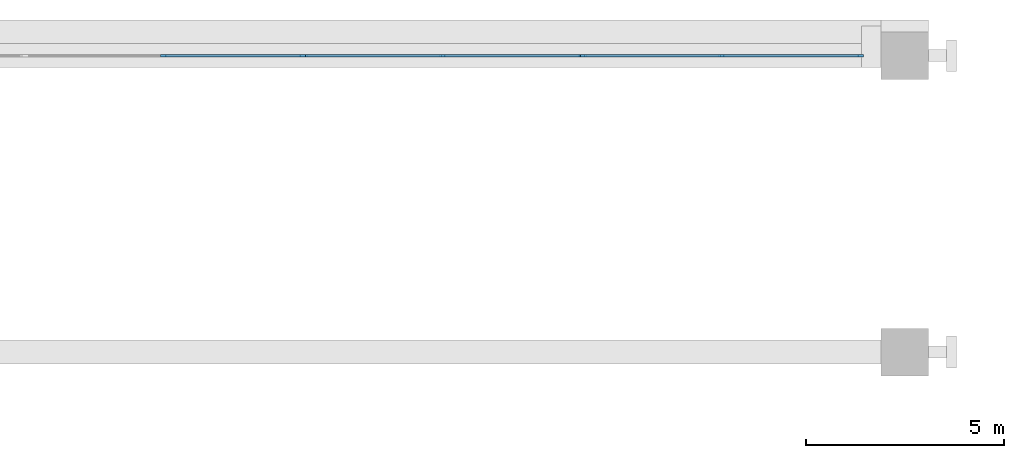
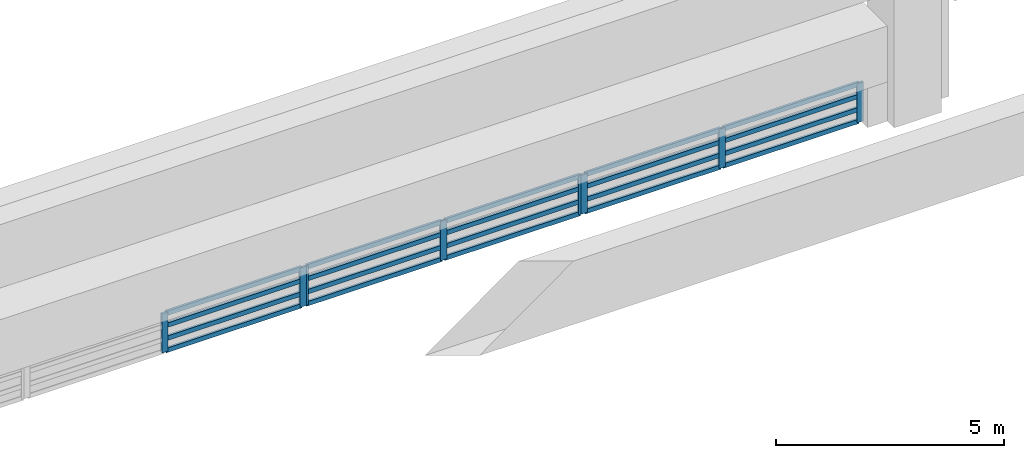
# One storey, part 17 of 61: 28 members, 3 elements without a shape of their own.
"""IFC4 building model written with IfcOpenShell, lengths in metres."""

from ifc_helpers import new_model, si_unit, direction, frame, origin, origin_2d, place, context, subcontext, project, spatial, rectangle, extrude, material, layer, layer_set, material_profile, profile_set, type_object, element, aggregate, save


model = new_model("IFC4")

# Units and contexts
model_context = context("Model", 3, precision=1e-05, world=origin(), true_north=direction((0.0, 1.0)))
body_context = subcontext(model_context, "Body", "Model", "MODEL_VIEW")
ifc_project = project(units=[si_unit("LENGTHUNIT", "METRE"), si_unit("AREAUNIT", "SQUARE_METRE"), si_unit("VOLUMEUNIT", "CUBIC_METRE"), si_unit("PLANEANGLEUNIT", "RADIAN"), si_unit("MASSUNIT", "GRAM", prefix="KILO")], contexts=[model_context])

# Site, building, storey
site_placement = place(None, origin())
site = spatial("IfcSite", under=ifc_project, at=site_placement, CompositionType="ELEMENT")
building_placement = place(site_placement, origin())
building = spatial("IfcBuilding", under=site, at=building_placement, Name="Cour d'Honneur Mobility Palace", CompositionType="ELEMENT")
storey_placement = place(building_placement, frame((0.0, 0.0, 11.89990234375)))
storey = spatial("IfcBuildingStorey", under=building, at=storey_placement, Name="L03", CompositionType="ELEMENT", Elevation=11.89990234375)

# Curtain wall, members
ifc_material_1 = material(Name="Aluminium and glass", Category="aluminium")
ifc_layer = layer(ifc_material_1, 0.10009765625)
ifc_layer_set = layer_set([ifc_layer], Name="Aluminium and glass")
curtain_wall_type = type_object("IfcCurtainWallType", Name="Curtain wall run", PredefinedType="NOTDEFINED", material=ifc_layer_set)
curtain_wall_1_placement = place(storey_placement, origin())
curtain_wall_1 = element("IfcCurtainWall", 1, at=curtain_wall_1_placement, inside=storey, type_object=curtain_wall_type, Name="Curtain wall CW-183", PredefinedType="NOTDEFINED")
ifc_material_2 = material(Name="Aluminium", Category="aluminium")
ifc_material_profile_1 = material_profile(ifc_material_2, rectangle(XDim=0.06005859375, YDim=0.159912109375, at=origin_2d()), Name="Curtain wall mullion")
ifc_profile_set_1 = profile_set([ifc_material_profile_1], Name="Aluminium")
member_type_1 = type_object("IfcMemberType", Name="Curtain wall mullion", PredefinedType="MULLION", material=ifc_profile_set_1)
member_1_placement = place(storey_placement, frame((81.14990234375, 114.89990234375, 0.0), z_axis=(0.0, 0.0, 1.0), x_axis=(0.0, 1.0, 0.0)))
member_1 = element("IfcMember", 2, at=member_1_placement, type_object=member_type_1, Name="CW-183 mullion 2", PredefinedType="MULLION", context=body_context, shape_type="SweptSolid", body=[
    extrude(rectangle(XDim=0.06005859375, YDim=0.159912109375, at=origin_2d()), origin(), (0.0, 0.0, 1.0), 1.050048828125),
])
member_2_placement = place(storey_placement, frame((84.64990234375, 114.89990234375, 0.0), z_axis=(0.0, 0.0, 1.0), x_axis=(0.0, 1.0, 0.0)))
member_2 = element("IfcMember", 3, at=member_2_placement, type_object=member_type_1, Name="CW-183 mullion 3", PredefinedType="MULLION", context=body_context, shape_type="SweptSolid", body=[
    extrude(rectangle(XDim=0.06005859375, YDim=0.159912109375, at=origin_2d()), origin(), (0.0, 0.0, 1.0), 1.050048828125),
])

curtain_wall_2_placement = place(storey_placement, origin())
curtain_wall_2 = element("IfcCurtainWall", 4, at=curtain_wall_2_placement, inside=storey, type_object=curtain_wall_type, Name="Curtain wall CW-184", PredefinedType="NOTDEFINED")
member_3_placement = place(storey_placement, frame((84.7099609375, 114.89990234375, 0.0), z_axis=(0.0, 0.0, 1.0), x_axis=(0.0, 1.0, 0.0)))
member_3 = element("IfcMember", 5, at=member_3_placement, type_object=member_type_1, Name="CW-184 mullion 1", PredefinedType="MULLION", context=body_context, shape_type="SweptSolid", body=[
    extrude(rectangle(XDim=0.06005859375, YDim=0.159912109375, at=origin_2d()), origin(), (0.0, 0.0, 1.0), 1.050048828125),
])
member_4_placement = place(storey_placement, frame((88.2099609375, 114.89990234375, 0.0), z_axis=(0.0, 0.0, 1.0), x_axis=(0.0, 1.0, 0.0)))
member_4 = element("IfcMember", 6, at=member_4_placement, type_object=member_type_1, Name="CW-184 mullion 2", PredefinedType="MULLION", context=body_context, shape_type="SweptSolid", body=[
    extrude(rectangle(XDim=0.06005859375, YDim=0.159912109375, at=origin_2d()), origin(), (0.0, 0.0, 1.0), 1.050048828125),
])
member_5_placement = place(storey_placement, frame((91.7099609375, 114.89990234375, 0.0), z_axis=(0.0, 0.0, 1.0), x_axis=(0.0, 1.0, 0.0)))
member_5 = element("IfcMember", 7, at=member_5_placement, type_object=member_type_1, Name="CW-184 mullion 3", PredefinedType="MULLION", context=body_context, shape_type="SweptSolid", body=[
    extrude(rectangle(XDim=0.06005859375, YDim=0.159912109375, at=origin_2d()), origin(), (0.0, 0.0, 1.0), 1.050048828125),
])

curtain_wall_3_placement = place(storey_placement, origin())
curtain_wall_3 = element("IfcCurtainWall", 8, at=curtain_wall_3_placement, inside=storey, type_object=curtain_wall_type, Name="Curtain wall CW-185", PredefinedType="NOTDEFINED")
member_6_placement = place(storey_placement, frame((91.77001953125, 114.89990234375, 0.0), z_axis=(0.0, 0.0, 1.0), x_axis=(0.0, 1.0, 0.0)))
member_6 = element("IfcMember", 9, at=member_6_placement, type_object=member_type_1, Name="CW-185 mullion 1", PredefinedType="MULLION", context=body_context, shape_type="SweptSolid", body=[
    extrude(rectangle(XDim=0.06005859375, YDim=0.159912109375, at=origin_2d()), origin(), (0.0, 0.0, 1.0), 1.050048828125),
])
member_7_placement = place(storey_placement, frame((95.27001953125, 114.89990234375, 0.0), z_axis=(0.0, 0.0, 1.0), x_axis=(0.0, 1.0, 0.0)))
member_7 = element("IfcMember", 10, at=member_7_placement, type_object=member_type_1, Name="CW-185 mullion 2", PredefinedType="MULLION", context=body_context, shape_type="SweptSolid", body=[
    extrude(rectangle(XDim=0.06005859375, YDim=0.159912109375, at=origin_2d()), origin(), (0.0, 0.0, 1.0), 1.050048828125),
])
member_8_placement = place(storey_placement, frame((98.77001953125, 114.89990234375, 0.0), z_axis=(0.0, 0.0, 1.0), x_axis=(0.0, 1.0, 0.0)))
member_8 = element("IfcMember", 11, at=member_8_placement, type_object=member_type_1, Name="CW-185 mullion 3", PredefinedType="MULLION", context=body_context, shape_type="SweptSolid", body=[
    extrude(rectangle(XDim=0.06005859375, YDim=0.159912109375, at=origin_2d()), origin(), (0.0, 0.0, 1.0), 1.050048828125),
])

# Member
ifc_material_3 = material(Name="Aluminium", Category="aluminium")
ifc_material_profile_2 = material_profile(ifc_material_3, rectangle(XDim=0.06005859375, YDim=0.1201171875, at=origin_2d()), Name="Curtain wall transom")
ifc_profile_set_2 = profile_set([ifc_material_profile_2], Name="Aluminium")
member_type_2 = type_object("IfcMemberType", Name="Curtain wall transom", PredefinedType="USERDEFINED", material=ifc_profile_set_2)
member_9_placement = place(storey_placement, frame((81.179931640625, 114.89990234375, 0.030029296875), z_axis=(1.0, 0.0, 0.0), x_axis=(0.0, 1.0, 0.0)))
member_9 = element("IfcMember", 12, at=member_9_placement, type_object=member_type_2, Name="CW-183 transom 2.1", ObjectType="TRANSOM", PredefinedType="USERDEFINED", context=body_context, shape_type="SweptSolid", body=[
    extrude(rectangle(XDim=0.06005859375, YDim=0.1201171875, at=origin_2d()), origin(), (0.0, 0.0, 1.0), 3.440185546875),
])

member_10_placement = place(storey_placement, frame((81.179931640625, 114.89990234375, 0.35009765625), z_axis=(1.0, 0.0, 0.0), x_axis=(0.0, 1.0, 0.0)))
member_10 = element("IfcMember", 13, at=member_10_placement, type_object=member_type_2, Name="CW-183 transom 2.2", ObjectType="TRANSOM", PredefinedType="USERDEFINED", context=body_context, shape_type="SweptSolid", body=[
    extrude(rectangle(XDim=0.06005859375, YDim=0.1201171875, at=origin_2d()), origin(), (0.0, 0.0, 1.0), 3.440185546875),
])

member_11_placement = place(storey_placement, frame((81.179931640625, 114.89990234375, 0.7001953125), z_axis=(1.0, 0.0, 0.0), x_axis=(0.0, 1.0, 0.0)))
member_11 = element("IfcMember", 14, at=member_11_placement, type_object=member_type_2, Name="CW-183 transom 2.3", ObjectType="TRANSOM", PredefinedType="USERDEFINED", context=body_context, shape_type="SweptSolid", body=[
    extrude(rectangle(XDim=0.06005859375, YDim=0.1201171875, at=origin_2d()), origin(), (0.0, 0.0, 1.0), 3.440185546875),
])

member_12_placement = place(storey_placement, frame((81.179931640625, 114.89990234375, 1.02001953125), z_axis=(1.0, 0.0, 0.0), x_axis=(0.0, 1.0, 0.0)))
member_12 = element("IfcMember", 15, at=member_12_placement, type_object=member_type_2, Name="CW-183 transom 2.4", ObjectType="TRANSOM", PredefinedType="USERDEFINED", context=body_context, shape_type="SweptSolid", body=[
    extrude(rectangle(XDim=0.06005859375, YDim=0.1201171875, at=origin_2d()), origin(), (0.0, 0.0, 1.0), 3.440185546875),
])

aggregate(curtain_wall_1, [member_1, member_2, member_9, member_10, member_11, member_12])

member_13_placement = place(storey_placement, frame((84.739990234375, 114.89990234375, 0.030029296875), z_axis=(1.0, 0.0, 0.0), x_axis=(0.0, 1.0, 0.0)))
member_13 = element("IfcMember", 16, at=member_13_placement, type_object=member_type_2, Name="CW-184 transom 1.1", ObjectType="TRANSOM", PredefinedType="USERDEFINED", context=body_context, shape_type="SweptSolid", body=[
    extrude(rectangle(XDim=0.06005859375, YDim=0.1201171875, at=origin_2d()), origin(), (0.0, 0.0, 1.0), 3.43994140625),
])

member_14_placement = place(storey_placement, frame((84.739990234375, 114.89990234375, 0.35009765625), z_axis=(1.0, 0.0, 0.0), x_axis=(0.0, 1.0, 0.0)))
member_14 = element("IfcMember", 17, at=member_14_placement, type_object=member_type_2, Name="CW-184 transom 1.2", ObjectType="TRANSOM", PredefinedType="USERDEFINED", context=body_context, shape_type="SweptSolid", body=[
    extrude(rectangle(XDim=0.06005859375, YDim=0.1201171875, at=origin_2d()), origin(), (0.0, 0.0, 1.0), 3.43994140625),
])

member_15_placement = place(storey_placement, frame((84.739990234375, 114.89990234375, 0.7001953125), z_axis=(1.0, 0.0, 0.0), x_axis=(0.0, 1.0, 0.0)))
member_15 = element("IfcMember", 18, at=member_15_placement, type_object=member_type_2, Name="CW-184 transom 1.3", ObjectType="TRANSOM", PredefinedType="USERDEFINED", context=body_context, shape_type="SweptSolid", body=[
    extrude(rectangle(XDim=0.06005859375, YDim=0.1201171875, at=origin_2d()), origin(), (0.0, 0.0, 1.0), 3.43994140625),
])

member_16_placement = place(storey_placement, frame((84.739990234375, 114.89990234375, 1.02001953125), z_axis=(1.0, 0.0, 0.0), x_axis=(0.0, 1.0, 0.0)))
member_16 = element("IfcMember", 19, at=member_16_placement, type_object=member_type_2, Name="CW-184 transom 1.4", ObjectType="TRANSOM", PredefinedType="USERDEFINED", context=body_context, shape_type="SweptSolid", body=[
    extrude(rectangle(XDim=0.06005859375, YDim=0.1201171875, at=origin_2d()), origin(), (0.0, 0.0, 1.0), 3.43994140625),
])

member_17_placement = place(storey_placement, frame((88.239990234375, 114.89990234375, 0.030029296875), z_axis=(1.0, 0.0, 0.0), x_axis=(0.0, 1.0, 0.0)))
member_17 = element("IfcMember", 20, at=member_17_placement, type_object=member_type_2, Name="CW-184 transom 2.1", ObjectType="TRANSOM", PredefinedType="USERDEFINED", context=body_context, shape_type="SweptSolid", body=[
    extrude(rectangle(XDim=0.06005859375, YDim=0.1201171875, at=origin_2d()), origin(), (0.0, 0.0, 1.0), 3.43994140625),
])

member_18_placement = place(storey_placement, frame((88.239990234375, 114.89990234375, 0.35009765625), z_axis=(1.0, 0.0, 0.0), x_axis=(0.0, 1.0, 0.0)))
member_18 = element("IfcMember", 21, at=member_18_placement, type_object=member_type_2, Name="CW-184 transom 2.2", ObjectType="TRANSOM", PredefinedType="USERDEFINED", context=body_context, shape_type="SweptSolid", body=[
    extrude(rectangle(XDim=0.06005859375, YDim=0.1201171875, at=origin_2d()), origin(), (0.0, 0.0, 1.0), 3.43994140625),
])

member_19_placement = place(storey_placement, frame((88.239990234375, 114.89990234375, 0.7001953125), z_axis=(1.0, 0.0, 0.0), x_axis=(0.0, 1.0, 0.0)))
member_19 = element("IfcMember", 22, at=member_19_placement, type_object=member_type_2, Name="CW-184 transom 2.3", ObjectType="TRANSOM", PredefinedType="USERDEFINED", context=body_context, shape_type="SweptSolid", body=[
    extrude(rectangle(XDim=0.06005859375, YDim=0.1201171875, at=origin_2d()), origin(), (0.0, 0.0, 1.0), 3.43994140625),
])

member_20_placement = place(storey_placement, frame((88.239990234375, 114.89990234375, 1.02001953125), z_axis=(1.0, 0.0, 0.0), x_axis=(0.0, 1.0, 0.0)))
member_20 = element("IfcMember", 23, at=member_20_placement, type_object=member_type_2, Name="CW-184 transom 2.4", ObjectType="TRANSOM", PredefinedType="USERDEFINED", context=body_context, shape_type="SweptSolid", body=[
    extrude(rectangle(XDim=0.06005859375, YDim=0.1201171875, at=origin_2d()), origin(), (0.0, 0.0, 1.0), 3.43994140625),
])

aggregate(curtain_wall_2, [member_3, member_4, member_5, member_13, member_14, member_15, member_16, member_17, member_18, member_19, member_20])

member_21_placement = place(storey_placement, frame((91.800048828125, 114.89990234375, 0.030029296875), z_axis=(1.0, 0.0, 0.0), x_axis=(0.0, 1.0, 0.0)))
member_21 = element("IfcMember", 24, at=member_21_placement, type_object=member_type_2, Name="CW-185 transom 1.1", ObjectType="TRANSOM", PredefinedType="USERDEFINED", context=body_context, shape_type="SweptSolid", body=[
    extrude(rectangle(XDim=0.06005859375, YDim=0.1201171875, at=origin_2d()), origin(), (0.0, 0.0, 1.0), 3.43994140625),
])

member_22_placement = place(storey_placement, frame((91.800048828125, 114.89990234375, 0.35009765625), z_axis=(1.0, 0.0, 0.0), x_axis=(0.0, 1.0, 0.0)))
member_22 = element("IfcMember", 25, at=member_22_placement, type_object=member_type_2, Name="CW-185 transom 1.2", ObjectType="TRANSOM", PredefinedType="USERDEFINED", context=body_context, shape_type="SweptSolid", body=[
    extrude(rectangle(XDim=0.06005859375, YDim=0.1201171875, at=origin_2d()), origin(), (0.0, 0.0, 1.0), 3.43994140625),
])

member_23_placement = place(storey_placement, frame((91.800048828125, 114.89990234375, 0.7001953125), z_axis=(1.0, 0.0, 0.0), x_axis=(0.0, 1.0, 0.0)))
member_23 = element("IfcMember", 26, at=member_23_placement, type_object=member_type_2, Name="CW-185 transom 1.3", ObjectType="TRANSOM", PredefinedType="USERDEFINED", context=body_context, shape_type="SweptSolid", body=[
    extrude(rectangle(XDim=0.06005859375, YDim=0.1201171875, at=origin_2d()), origin(), (0.0, 0.0, 1.0), 3.43994140625),
])

member_24_placement = place(storey_placement, frame((91.800048828125, 114.89990234375, 1.02001953125), z_axis=(1.0, 0.0, 0.0), x_axis=(0.0, 1.0, 0.0)))
member_24 = element("IfcMember", 27, at=member_24_placement, type_object=member_type_2, Name="CW-185 transom 1.4", ObjectType="TRANSOM", PredefinedType="USERDEFINED", context=body_context, shape_type="SweptSolid", body=[
    extrude(rectangle(XDim=0.06005859375, YDim=0.1201171875, at=origin_2d()), origin(), (0.0, 0.0, 1.0), 3.43994140625),
])

member_25_placement = place(storey_placement, frame((95.300048828125, 114.89990234375, 0.030029296875), z_axis=(1.0, 0.0, 0.0), x_axis=(0.0, 1.0, 0.0)))
member_25 = element("IfcMember", 28, at=member_25_placement, type_object=member_type_2, Name="CW-185 transom 2.1", ObjectType="TRANSOM", PredefinedType="USERDEFINED", context=body_context, shape_type="SweptSolid", body=[
    extrude(rectangle(XDim=0.06005859375, YDim=0.1201171875, at=origin_2d()), origin(), (0.0, 0.0, 1.0), 3.43994140625),
])

member_26_placement = place(storey_placement, frame((95.300048828125, 114.89990234375, 0.35009765625), z_axis=(1.0, 0.0, 0.0), x_axis=(0.0, 1.0, 0.0)))
member_26 = element("IfcMember", 29, at=member_26_placement, type_object=member_type_2, Name="CW-185 transom 2.2", ObjectType="TRANSOM", PredefinedType="USERDEFINED", context=body_context, shape_type="SweptSolid", body=[
    extrude(rectangle(XDim=0.06005859375, YDim=0.1201171875, at=origin_2d()), origin(), (0.0, 0.0, 1.0), 3.43994140625),
])

member_27_placement = place(storey_placement, frame((95.300048828125, 114.89990234375, 0.7001953125), z_axis=(1.0, 0.0, 0.0), x_axis=(0.0, 1.0, 0.0)))
member_27 = element("IfcMember", 30, at=member_27_placement, type_object=member_type_2, Name="CW-185 transom 2.3", ObjectType="TRANSOM", PredefinedType="USERDEFINED", context=body_context, shape_type="SweptSolid", body=[
    extrude(rectangle(XDim=0.06005859375, YDim=0.1201171875, at=origin_2d()), origin(), (0.0, 0.0, 1.0), 3.43994140625),
])

member_28_placement = place(storey_placement, frame((95.300048828125, 114.89990234375, 1.02001953125), z_axis=(1.0, 0.0, 0.0), x_axis=(0.0, 1.0, 0.0)))
member_28 = element("IfcMember", 31, at=member_28_placement, type_object=member_type_2, Name="CW-185 transom 2.4", ObjectType="TRANSOM", PredefinedType="USERDEFINED", context=body_context, shape_type="SweptSolid", body=[
    extrude(rectangle(XDim=0.06005859375, YDim=0.1201171875, at=origin_2d()), origin(), (0.0, 0.0, 1.0), 3.43994140625),
])

aggregate(curtain_wall_3, [member_6, member_7, member_8, member_21, member_22, member_23, member_24, member_25, member_26, member_27, member_28])

save(model, "model.ifc")
